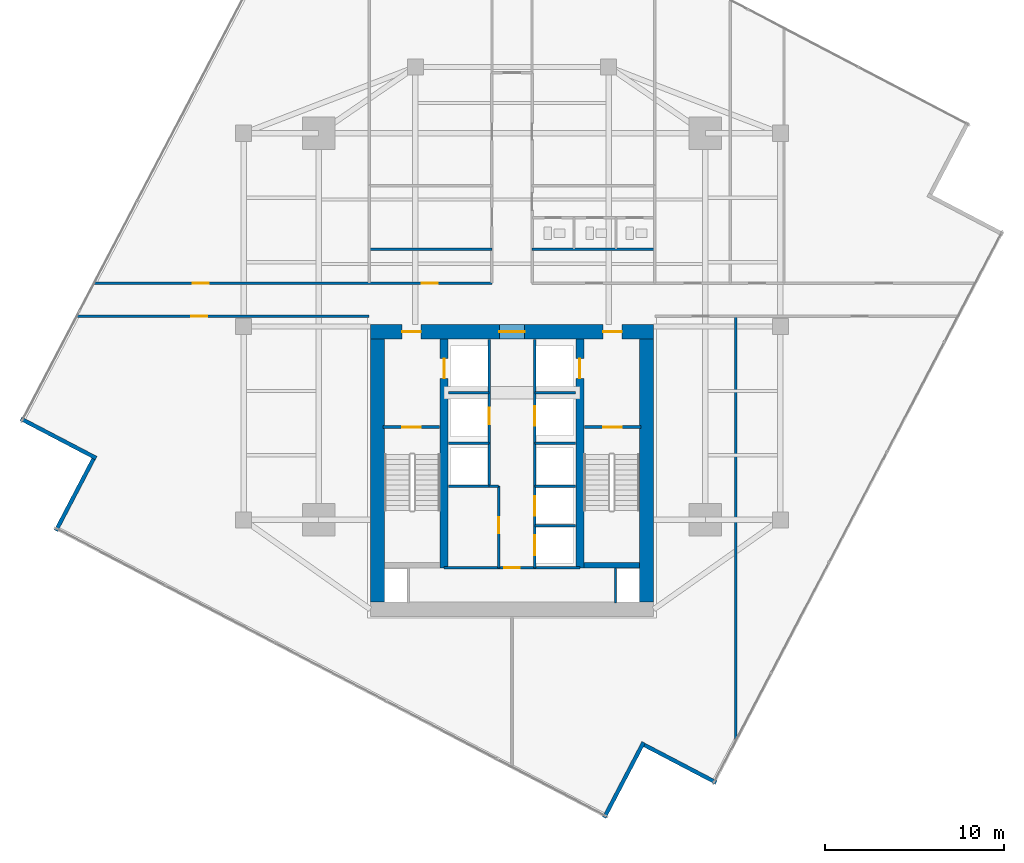
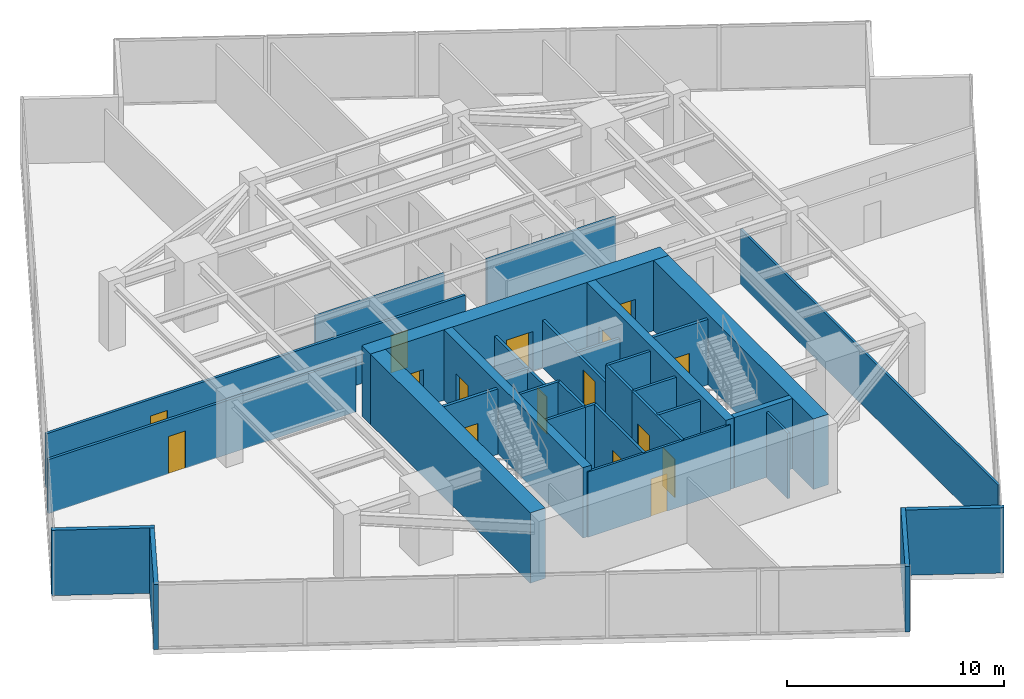
# One storey, part 23 of 27: 33 walls, 16 doors, 16 openings.
"""IFC4 building model written with IfcOpenShell, lengths in metres."""

from ifc_helpers import new_model, si_unit, direction, frame, frame_2d, origin, place, context, subcontext, project, spatial, rectangle, extrude, material, layer, layer_set, type_object, element, fill, save


model = new_model("IFC4")

# Units and contexts
model_context = context("Model", 3, precision=1e-05, world=origin(), true_north=direction((0.0, 1.0)))
body_context = subcontext(model_context, "Body", "Model", "MODEL_VIEW")
ifc_project = project(units=[si_unit("LENGTHUNIT", "METRE"), si_unit("AREAUNIT", "SQUARE_METRE"), si_unit("VOLUMEUNIT", "CUBIC_METRE"), si_unit("PLANEANGLEUNIT", "RADIAN"), si_unit("MASSUNIT", "GRAM", prefix="KILO")], contexts=[model_context])

# Site, building, storey
site_placement = place(None, origin())
site = spatial("IfcSite", under=ifc_project, at=site_placement, CompositionType="ELEMENT")
building_placement = place(site_placement, origin())
building = spatial("IfcBuilding", under=site, at=building_placement, Name="Krantzveldt Concourse Tower", CompositionType="ELEMENT")
storey_placement = place(building_placement, frame((0.0, 0.0, 150.14990234375)))
storey = spatial("IfcBuildingStorey", under=building, at=storey_placement, Name="L36", CompositionType="ELEMENT", Elevation=150.14990234375)

# Walls
ifc_material_1 = material(Name="Anodised aluminium 6063-T6", Category="aluminium")
ifc_layer_1 = layer(ifc_material_1, 0.219970703125, Name="Anodised aluminium 6063-T6", Category="aluminium")
ifc_layer_set_1 = layer_set([ifc_layer_1], Name="Anodised aluminium 6063-T6 (WL-EXT-NOTCH220)")
wall_type_1 = type_object("IfcWallType", Name="WL-EXT-NOTCH220", PredefinedType="ELEMENTEDWALL", material=ifc_layer_set_1)
wall_1_placement = place(storey_placement, frame((8.557373046875, 21.54736328125, 0.0), z_axis=(0.0, 0.0, 1.0), x_axis=(0.886000663224, -0.463683970788, 0.0)))
element("IfcWall", 1, at=wall_1_placement, inside=storey, type_object=wall_type_1, Name="EW-L36-NCH02", PredefinedType="ELEMENTEDWALL", context=body_context, shape_type="SweptSolid", body=[
    extrude(rectangle(XDim=4.7451171875, YDim=0.219970703125, at=frame_2d((2.37255859375, 0.0))), origin(), (0.0, 0.0, 1.0), 3.670166015625),
])
wall_2_placement = place(storey_placement, frame((12.613037109375, 19.300537109375, 0.0), z_axis=(0.0, 0.0, 1.0), x_axis=(-0.463690434653, -0.885997280363, 0.0)))
element("IfcWall", 2, at=wall_2_placement, inside=storey, type_object=wall_type_1, Name="EW-L36-NCH03", PredefinedType="ELEMENTEDWALL", context=body_context, shape_type="SweptSolid", body=[
    extrude(rectangle(XDim=4.52490234375, YDim=0.219970703125, at=frame_2d((2.262451171875, 0.0))), origin(), (0.0, 0.0, 1.0), 3.670166015625),
])
wall_3_placement = place(storey_placement, frame((41.15283203125, -0.74267578125, 0.0), z_axis=(0.0, 0.0, 1.0), x_axis=(0.463643579795, 0.886021800474, 0.0)))
element("IfcWall", 3, at=wall_3_placement, inside=storey, type_object=wall_type_1, Name="EW-L36-NCH05", PredefinedType="ELEMENTEDWALL", context=body_context, shape_type="SweptSolid", body=[
    extrude(rectangle(XDim=4.744873046875, YDim=0.219970703125, at=frame_2d((2.37255859375, 0.0))), origin(), (0.0, 0.0, 1.0), 3.670166015625),
])
wall_4_placement = place(storey_placement, frame((43.3994140625, 3.31298828125, 0.0), z_axis=(0.0, 0.0, 1.0), x_axis=(0.885997280363, -0.463690434653, 0.0)))
element("IfcWall", 4, at=wall_4_placement, inside=storey, type_object=wall_type_1, Name="EW-L36-NCH06", PredefinedType="ELEMENTEDWALL", context=body_context, shape_type="SweptSolid", body=[
    extrude(rectangle(XDim=4.52490234375, YDim=0.219970703125, at=frame_2d((2.262451171875, 0.0))), origin(), (0.0, 0.0, 1.0), 3.670166015625),
])

# Wall, opening, door
ifc_material_2 = material(Name="Fire-rated gypsum plasterboard on steel stud", Category="steel")
ifc_layer_2 = layer(ifc_material_2, 0.1201171875, Name="Fire-rated gypsum plasterboard on steel stud", Category="steel")
ifc_layer_set_2 = layer_set([ifc_layer_2], Name="Fire-rated gypsum plasterboard on steel stud (WL-PART-120)")
wall_type_2 = type_object("IfcWallType", Name="WL-PART-120", PredefinedType="PARTITIONING", material=ifc_layer_set_2)
wall_5_placement = place(storey_placement, frame((32.2099609375, 13.219970703125, 0.0), z_axis=(0.0, 0.0, 1.0), x_axis=(1.0, 0.0, 0.0)))
wall_5 = element("IfcWall", 5, at=wall_5_placement, inside=storey, type_object=wall_type_2, Name="WP-L36-CS2H", PredefinedType="PARTITIONING", context=body_context, shape_type="SweptSolid", body=[
    extrude(rectangle(XDim=7.580078125, YDim=0.1201171875, at=frame_2d((3.7900390625, 0.0))), origin(), (0.0, 0.0, 1.0), 3.670166015625),
])
opening_1_placement = place(wall_5_placement, frame((3.364990234375, 0.0, 0.0)))
opening_1 = element("IfcOpeningElement", 6, at=opening_1_placement, cuts=wall_5, Name="Opening D-IN085", PredefinedType="OPENING", context=body_context, shape_type="SweptSolid", body=[
    extrude(rectangle(XDim=0.85009765625, YDim=2.10009765625, at=frame_2d((0.425048828125, 1.050048828125))), frame((0.0, 0.070068359375, 0.0), z_axis=(0.0, -1.0, 0.0), x_axis=(1.0, 0.0, 0.0)), (0.0, 0.0, 1.0), 0.14013671875),
])
ifc_material_3 = material(Name="Hardwood timber", Category="wood")
door_type_1 = type_object("IfcDoorType", Name="DR-INT-850", OperationType="SINGLE_SWING_LEFT", PredefinedType="DOOR", material=ifc_material_3)
door_1_placement = place(opening_1_placement, origin())
door_1 = element("IfcDoor", 7, at=door_1_placement, inside=storey, type_object=door_type_1, Name="DR-L36-CSC1", OperationType="SINGLE_SWING_RIGHT", OverallHeight=2.10009765625, OverallWidth=0.85009765625, PredefinedType="DOOR", context=body_context, shape_type="SweptSolid", body=[
    extrude(rectangle(XDim=0.85009765625, YDim=2.10009765625, at=frame_2d((0.425048828125, 1.050048828125))), frame((0.0, 0.02490234375, 0.0), z_axis=(0.0, -1.0, 0.0), x_axis=(1.0, 0.0, 0.0)), (0.0, 0.0, 1.0), 0.050048828125),
])
fill(opening_1, door_1)

# Walls
for number, where, z_axis, x_axis, name in (
    (8, (28.02001953125, 31.02001953125, 0.0), (0.0, 0.0, 1.0), (1.0, 0.0, 0.0), "WP-L36-ISML"),
    (9, (37.1201171875, 31.02001953125, 0.0), (0.0, 0.0, 1.0), (1.0, 0.0, 0.0), "WP-L36-ISMR"),
):
    element("IfcWall", number, at=place(storey_placement, frame(where, z_axis=z_axis, x_axis=x_axis)), inside=storey, type_object=wall_type_2, Name=name, PredefinedType="PARTITIONING", context=body_context, shape_type="SweptSolid", body=[
        extrude(rectangle(XDim=6.85986328125, YDim=0.1201171875, at=frame_2d((3.429931640625, 0.0))), origin(), (0.0, 0.0, 1.0), 3.080078125),
    ])
wall_6_placement = place(storey_placement, frame((48.5, 3.54833984375, 0.0), z_axis=(0.0, 0.0, 1.0), x_axis=(0.0, 1.0, 0.0)))
element("IfcWall", 10, at=wall_6_placement, inside=storey, type_object=wall_type_2, Name="WP-L36-SEX1", PredefinedType="PARTITIONING", context=body_context, shape_type="SweptSolid", body=[
    extrude(rectangle(XDim=23.731689453125, YDim=0.1201171875, at=frame_2d((11.86572265625, 0.0))), origin(), (0.0, 0.0, 1.0), 3.080078125),
])

# Wall, openings, doors
ifc_layer_3 = layer(ifc_material_2, 0.139892578125, Name="Fire-rated gypsum plasterboard on steel stud", Category="steel")
ifc_layer_set_3 = layer_set([ifc_layer_3], Name="Fire-rated gypsum plasterboard on steel stud (WL-PART-140)")
wall_type_3 = type_object("IfcWallType", Name="WL-PART-140", PredefinedType="PARTITIONING", material=ifc_layer_set_3)
wall_7_placement = place(storey_placement, frame((12.650390625, 29.1201171875, 0.0), z_axis=(0.0, 0.0, 1.0), x_axis=(1.0, 0.0, 0.0)))
wall_7 = element("IfcWall", 11, at=wall_7_placement, inside=storey, type_object=wall_type_3, Name="WP-L36-EWNL", PredefinedType="PARTITIONING", context=body_context, shape_type="SweptSolid", body=[
    extrude(rectangle(XDim=22.2294921875, YDim=0.139892578125, at=frame_2d((11.11474609375, 0.0))), origin(), (0.0, 0.0, 1.0), 3.030029296875),
])
opening_2_placement = place(wall_7_placement, frame((18.2998046875, 0.0, 0.0)))
opening_2 = element("IfcOpeningElement", 12, at=opening_2_placement, cuts=wall_7, Name="Opening D-IN090", PredefinedType="OPENING", context=body_context, shape_type="SweptSolid", body=[
    extrude(rectangle(XDim=0.89990234375, YDim=2.10009765625, at=frame_2d((0.449951171875, 1.050048828125))), frame((0.0, 0.080078125, 0.0), z_axis=(0.0, -1.0, 0.0), x_axis=(1.0, 0.0, 0.0)), (0.0, 0.0, 1.0), 0.159912109375),
])
opening_3_placement = place(wall_7_placement, frame((5.5126953125, 0.0, 0.0)))
opening_3 = element("IfcOpeningElement", 13, at=opening_3_placement, cuts=wall_7, Name="Opening D-IN090", PredefinedType="OPENING", context=body_context, shape_type="SweptSolid", body=[
    extrude(rectangle(XDim=0.89990234375, YDim=2.10009765625, at=frame_2d((0.449951171875, 1.050048828125))), frame((0.0, 0.080078125, 0.0), z_axis=(0.0, -1.0, 0.0), x_axis=(1.0, 0.0, 0.0)), (0.0, 0.0, 1.0), 0.159912109375),
])
door_type_2 = type_object("IfcDoorType", Name="DR-INT-900", OperationType="SINGLE_SWING_LEFT", PredefinedType="DOOR", material=ifc_material_3)
door_2_placement = place(opening_2_placement, origin())
door_2 = element("IfcDoor", 14, at=door_2_placement, inside=storey, type_object=door_type_2, Name="DR-L36-ALCL", OperationType="SINGLE_SWING_LEFT", OverallHeight=2.10009765625, OverallWidth=0.89990234375, PredefinedType="DOOR", context=body_context, shape_type="SweptSolid", body=[
    extrude(rectangle(XDim=0.89990234375, YDim=2.10009765625, at=frame_2d((0.449951171875, 1.050048828125))), frame((0.0, 0.02490234375, 0.0), z_axis=(0.0, -1.0, 0.0), x_axis=(1.0, 0.0, 0.0)), (0.0, 0.0, 1.0), 0.050048828125),
])
fill(opening_2, door_2)
door_3_placement = place(opening_3_placement, origin())
door_3 = element("IfcDoor", 15, at=door_3_placement, inside=storey, type_object=door_type_2, Name="DR-L36-NWX1", OperationType="SINGLE_SWING_LEFT", OverallHeight=2.10009765625, OverallWidth=0.89990234375, PredefinedType="DOOR", context=body_context, shape_type="SweptSolid", body=[
    extrude(rectangle(XDim=0.89990234375, YDim=2.10009765625, at=frame_2d((0.449951171875, 1.050048828125))), frame((0.0, 0.02490234375, 0.0), z_axis=(0.0, -1.0, 0.0), x_axis=(1.0, 0.0, 0.0)), (0.0, 0.0, 1.0), 0.050048828125),
])
fill(opening_3, door_3)

# Wall, opening, door
wall_8_placement = place(storey_placement, frame((11.687255859375, 27.280029296875, 0.0), z_axis=(0.0, 0.0, 1.0), x_axis=(1.0, 0.0, 0.0)))
wall_8 = element("IfcWall", 16, at=wall_8_placement, inside=storey, type_object=wall_type_3, Name="WP-L36-EWSL", PredefinedType="PARTITIONING", context=body_context, shape_type="SweptSolid", body=[
    extrude(rectangle(XDim=16.312744140625, YDim=0.139892578125, at=frame_2d((8.15625, 0.0))), origin(), (0.0, 0.0, 1.0), 3.030029296875),
])
opening_4_placement = place(wall_8_placement, frame((6.375732421875, 0.0, 0.0)))
opening_4 = element("IfcOpeningElement", 17, at=opening_4_placement, cuts=wall_8, Name="Opening D-IN090", PredefinedType="OPENING", context=body_context, shape_type="SweptSolid", body=[
    extrude(rectangle(XDim=0.89990234375, YDim=2.10009765625, at=frame_2d((0.449951171875, 1.050048828125))), frame((0.0, 0.080078125, 0.0), z_axis=(0.0, -1.0, 0.0), x_axis=(1.0, 0.0, 0.0)), (0.0, 0.0, 1.0), 0.159912109375),
])
door_4_placement = place(opening_4_placement, origin())
door_4 = element("IfcDoor", 18, at=door_4_placement, inside=storey, type_object=door_type_2, Name="DR-L36-SWX1", OperationType="SINGLE_SWING_LEFT", OverallHeight=2.10009765625, OverallWidth=0.89990234375, PredefinedType="DOOR", context=body_context, shape_type="SweptSolid", body=[
    extrude(rectangle(XDim=0.89990234375, YDim=2.10009765625, at=frame_2d((0.449951171875, 1.050048828125))), frame((0.0, 0.02490234375, 0.0), z_axis=(0.0, -1.0, 0.0), x_axis=(1.0, 0.0, 0.0)), (0.0, 0.0, 1.0), 0.050048828125),
])
fill(opening_4, door_4)

ifc_layer_4 = layer(ifc_material_2, 0.139892578125, Name="Fire-rated gypsum plasterboard on steel stud", Category="steel")
ifc_layer_set_4 = layer_set([ifc_layer_4], Name="Fire-rated gypsum plasterboard on steel stud (WL-PART-FR140)")
wall_type_4 = type_object("IfcWallType", Name="WL-PART-FR140", PredefinedType="PARTITIONING", material=ifc_layer_set_4)
wall_9_placement = place(storey_placement, frame((34.719970703125, 20.199951171875, 0.0), z_axis=(0.0, 0.0, 1.0), x_axis=(0.0, 1.0, 0.0)))
wall_9 = element("IfcWall", 19, at=wall_9_placement, inside=storey, type_object=wall_type_4, Name="WP-L36-SHNW", PredefinedType="PARTITIONING", context=body_context, shape_type="SweptSolid", body=[
    extrude(rectangle(XDim=5.780029296875, YDim=0.139892578125, at=frame_2d((2.89013671875, 0.0))), origin(), (0.0, 0.0, 1.0), 2.670166015625),
])
opening_5_placement = place(wall_9_placement, frame((1.050048828125, 0.0, 0.0)))
opening_5 = element("IfcOpeningElement", 20, at=opening_5_placement, cuts=wall_9, Name="Opening D-FD090", PredefinedType="OPENING", context=body_context, shape_type="SweptSolid", body=[
    extrude(rectangle(XDim=0.89990234375, YDim=2.10009765625, at=frame_2d((0.449951171875, 1.050048828125))), frame((0.0, 0.080078125, 0.0), z_axis=(0.0, -1.0, 0.0), x_axis=(1.0, 0.0, 0.0)), (0.0, 0.0, 1.0), 0.159912109375),
])
door_type_3 = type_object("IfcDoorType", Name="DR-FD60-900", OperationType="SINGLE_SWING_LEFT", PredefinedType="DOOR", material=ifc_material_3)
door_5_placement = place(opening_5_placement, origin())
door_5 = element("IfcDoor", 21, at=door_5_placement, inside=storey, type_object=door_type_3, Name="Electrical Riser Access Door L36", OperationType="SINGLE_SWING_LEFT", OverallHeight=2.10009765625, OverallWidth=0.89990234375, PredefinedType="DOOR", context=body_context, shape_type="SweptSolid", body=[
    extrude(rectangle(XDim=0.89990234375, YDim=2.10009765625, at=frame_2d((0.449951171875, 1.050048828125))), frame((0.0, 0.02490234375, 0.0), z_axis=(0.0, -1.0, 0.0), x_axis=(1.0, 0.0, 0.0)), (0.0, 0.0, 1.0), 0.050048828125),
])
fill(opening_5, door_5)

wall_10_placement = place(storey_placement, frame((37.280029296875, 20.199951171875, 0.0), z_axis=(0.0, 0.0, 1.0), x_axis=(0.0, 1.0, 0.0)))
wall_10 = element("IfcWall", 22, at=wall_10_placement, inside=storey, type_object=wall_type_4, Name="WP-L36-SHNE", PredefinedType="PARTITIONING", context=body_context, shape_type="SweptSolid", body=[
    extrude(rectangle(XDim=5.780029296875, YDim=0.139892578125, at=frame_2d((2.89013671875, 0.0))), origin(), (0.0, 0.0, 1.0), 2.670166015625),
])
opening_6_placement = place(wall_10_placement, frame((0.949951171875, 0.0, 0.0)))
opening_6 = element("IfcOpeningElement", 23, at=opening_6_placement, cuts=wall_10, Name="Opening LD", PredefinedType="OPENING", context=body_context, shape_type="SweptSolid", body=[
    extrude(rectangle(XDim=1.10009765625, YDim=2.14990234375, at=frame_2d((0.550048828125, 1.074951171875))), frame((0.0, 0.080078125, 0.0), z_axis=(0.0, -1.0, 0.0), x_axis=(1.0, 0.0, 0.0)), (0.0, 0.0, 1.0), 0.159912109375),
])
ifc_material_4 = material(Name="Stainless steel 316L", Category="steel")
door_type_4 = type_object("IfcDoorType", Name="DR-SLIDE-LD1100", OperationType="DOUBLE_DOOR_SLIDING", PredefinedType="DOOR", material=ifc_material_4)
door_6_placement = place(opening_6_placement, origin())
door_6 = element("IfcDoor", 24, at=door_6_placement, inside=storey, type_object=door_type_4, Name="LD-L36-GL1", OperationType="DOUBLE_DOOR_SLIDING", OverallHeight=2.14990234375, OverallWidth=1.10009765625, PredefinedType="DOOR", context=body_context, shape_type="SweptSolid", body=[
    extrude(rectangle(XDim=1.10009765625, YDim=2.14990234375, at=frame_2d((0.550048828125, 1.074951171875))), frame((0.0, 0.02490234375, 0.0), z_axis=(0.0, -1.0, 0.0), x_axis=(1.0, 0.0, 0.0)), (0.0, 0.0, 1.0), 0.050048828125),
])
fill(opening_6, door_6)

# Walls
for number, where, z_axis, x_axis, name in (
    (25, (32.449951171875, 23.0, 0.0), (0.0, 0.0, 1.0), (1.0, 0.0, 0.0), "WP-L36-RISH"),
    (26, (37.280029296875, 23.0, 0.0), (0.0, 0.0, 1.0), (1.0, 0.0, 0.0), "WP-L36-GLH"),
):
    element("IfcWall", number, at=place(storey_placement, frame(where, z_axis=z_axis, x_axis=x_axis)), inside=storey, type_object=wall_type_4, Name=name, PredefinedType="PARTITIONING", context=body_context, shape_type="SweptSolid", body=[
        extrude(rectangle(XDim=2.27001953125, YDim=0.139892578125, at=frame_2d((1.135009765625, 0.0))), origin(), (0.0, 0.0, 1.0), 2.670166015625),
    ])
for number, where, z_axis, x_axis, name in (
    (27, (34.719970703125, 17.780029296875, 0.0), (0.0, 0.0, 1.0), (0.0, 1.0, 0.0), "WP-L36-SHNW2"),
    (28, (37.280029296875, 17.780029296875, 0.0), (0.0, 0.0, 1.0), (0.0, 1.0, 0.0), "WP-L36-SHNE2"),
):
    element("IfcWall", number, at=place(storey_placement, frame(where, z_axis=z_axis, x_axis=x_axis)), inside=storey, type_object=wall_type_4, Name=name, PredefinedType="PARTITIONING", context=body_context, shape_type="SweptSolid", body=[
        extrude(rectangle(XDim=2.419921875, YDim=0.139892578125, at=frame_2d((1.2099609375, 0.0))), origin(), (0.0, 0.0, 1.0), 3.670166015625),
    ])
for number, where, z_axis, x_axis, name in (
    (29, (32.449951171875, 17.780029296875, 0.0), (0.0, 0.0, 1.0), (1.0, 0.0, 0.0), "WP-L36-DIVW2"),
    (30, (32.449951171875, 20.179931640625, 0.0), (0.0, 0.0, 1.0), (1.0, 0.0, 0.0), "WP-L36-DIVW3"),
    (31, (37.280029296875, 17.780029296875, 0.0), (0.0, 0.0, 1.0), (1.0, 0.0, 0.0), "WP-L36-DIVE2"),
    (32, (37.280029296875, 20.179931640625, 0.0), (0.0, 0.0, 1.0), (1.0, 0.0, 0.0), "WP-L36-DIVE3"),
):
    element("IfcWall", number, at=place(storey_placement, frame(where, z_axis=z_axis, x_axis=x_axis)), inside=storey, type_object=wall_type_4, Name=name, PredefinedType="PARTITIONING", context=body_context, shape_type="SweptSolid", body=[
        extrude(rectangle(XDim=2.27001953125, YDim=0.139892578125, at=frame_2d((1.135009765625, 0.0))), origin(), (0.0, 0.0, 1.0), 3.670166015625),
    ])

# Wall, opening, door
wall_11_placement = place(storey_placement, frame((35.25, 13.219970703125, 0.0), z_axis=(0.0, 0.0, 1.0), x_axis=(0.0, 1.0, 0.0)))
wall_11 = element("IfcWall", 33, at=wall_11_placement, inside=storey, type_object=wall_type_4, Name="WP-L36-RECW", PredefinedType="PARTITIONING", context=body_context, shape_type="SweptSolid", body=[
    extrude(rectangle(XDim=4.56005859375, YDim=0.139892578125, at=frame_2d((2.280029296875, 0.0))), origin(), (0.0, 0.0, 1.0), 3.670166015625),
])
opening_7_placement = place(wall_11_placement, frame((1.929931640625, 0.0, 0.0)))
opening_7 = element("IfcOpeningElement", 34, at=opening_7_placement, cuts=wall_11, Name="Opening D-FD090", PredefinedType="OPENING", context=body_context, shape_type="SweptSolid", body=[
    extrude(rectangle(XDim=0.89990234375, YDim=2.10009765625, at=frame_2d((0.449951171875, 1.050048828125))), frame((0.0, 0.080078125, 0.0), z_axis=(0.0, -1.0, 0.0), x_axis=(1.0, 0.0, 0.0)), (0.0, 0.0, 1.0), 0.159912109375),
])
door_7_placement = place(opening_7_placement, origin())
door_7 = element("IfcDoor", 35, at=door_7_placement, inside=storey, type_object=door_type_3, Name="DR-L36-RECW", OperationType="SINGLE_SWING_LEFT", OverallHeight=2.10009765625, OverallWidth=0.89990234375, PredefinedType="DOOR", context=body_context, shape_type="SweptSolid", body=[
    extrude(rectangle(XDim=0.89990234375, YDim=2.10009765625, at=frame_2d((0.449951171875, 1.050048828125))), frame((0.0, 0.02490234375, 0.0), z_axis=(0.0, -1.0, 0.0), x_axis=(1.0, 0.0, 0.0)), (0.0, 0.0, 1.0), 0.050048828125),
])
fill(opening_7, door_7)

# Wall
wall_12_placement = place(storey_placement, frame((34.719970703125, 17.780029296875, 0.0), z_axis=(0.0, 0.0, 1.0), x_axis=(1.0, 0.0, 0.0)))
element("IfcWall", 36, at=wall_12_placement, inside=storey, type_object=wall_type_4, Name="WP-L36-RECWN", PredefinedType="PARTITIONING", context=body_context, shape_type="SweptSolid", body=[
    extrude(rectangle(XDim=0.530029296875, YDim=0.139892578125, at=frame_2d((0.26513671875, 0.0))), origin(), (0.0, 0.0, 1.0), 3.670166015625),
])

# Wall, openings, doors
wall_13_placement = place(storey_placement, frame((37.280029296875, 13.219970703125, 0.0), z_axis=(0.0, 0.0, 1.0), x_axis=(0.0, 1.0, 0.0)))
wall_13 = element("IfcWall", 37, at=wall_13_placement, inside=storey, type_object=wall_type_4, Name="WP-L36-SHSE", PredefinedType="PARTITIONING", context=body_context, shape_type="SweptSolid", body=[
    extrude(rectangle(XDim=4.56005859375, YDim=0.139892578125, at=frame_2d((2.280029296875, 0.0))), origin(), (0.0, 0.0, 1.0), 3.670166015625),
])
opening_8_placement = place(wall_13_placement, frame((0.7099609375, 0.0, 0.0)))
opening_8 = element("IfcOpeningElement", 38, at=opening_8_placement, cuts=wall_13, Name="Opening LD", PredefinedType="OPENING", context=body_context, shape_type="SweptSolid", body=[
    extrude(rectangle(XDim=1.10009765625, YDim=2.14990234375, at=frame_2d((0.550048828125, 1.074951171875))), frame((0.0, 0.080078125, 0.0), z_axis=(0.0, -1.0, 0.0), x_axis=(1.0, 0.0, 0.0)), (0.0, 0.0, 1.0), 0.159912109375),
])
opening_9_placement = place(wall_13_placement, frame((2.909912109375, 0.0, 0.0)))
opening_9 = element("IfcOpeningElement", 39, at=opening_9_placement, cuts=wall_13, Name="Opening LD", PredefinedType="OPENING", context=body_context, shape_type="SweptSolid", body=[
    extrude(rectangle(XDim=1.10009765625, YDim=2.14990234375, at=frame_2d((0.550048828125, 1.074951171875))), frame((0.0, 0.080078125, 0.0), z_axis=(0.0, -1.0, 0.0), x_axis=(1.0, 0.0, 0.0)), (0.0, 0.0, 1.0), 0.159912109375),
])
door_8_placement = place(opening_8_placement, origin())
door_8 = element("IfcDoor", 40, at=door_8_placement, inside=storey, type_object=door_type_4, Name="LD-L36-PM1", OperationType="DOUBLE_DOOR_SLIDING", OverallHeight=2.14990234375, OverallWidth=1.10009765625, PredefinedType="DOOR", context=body_context, shape_type="SweptSolid", body=[
    extrude(rectangle(XDim=1.10009765625, YDim=2.14990234375, at=frame_2d((0.550048828125, 1.074951171875))), frame((0.0, 0.02490234375, 0.0), z_axis=(0.0, -1.0, 0.0), x_axis=(1.0, 0.0, 0.0)), (0.0, 0.0, 1.0), 0.050048828125),
])
fill(opening_8, door_8)
door_9_placement = place(opening_9_placement, origin())
door_9 = element("IfcDoor", 41, at=door_9_placement, inside=storey, type_object=door_type_4, Name="LD-L36-PM2", OperationType="DOUBLE_DOOR_SLIDING", OverallHeight=2.14990234375, OverallWidth=1.10009765625, PredefinedType="DOOR", context=body_context, shape_type="SweptSolid", body=[
    extrude(rectangle(XDim=1.10009765625, YDim=2.14990234375, at=frame_2d((0.550048828125, 1.074951171875))), frame((0.0, 0.02490234375, 0.0), z_axis=(0.0, -1.0, 0.0), x_axis=(1.0, 0.0, 0.0)), (0.0, 0.0, 1.0), 0.050048828125),
])
fill(opening_9, door_9)

# Walls
wall_14_placement = place(storey_placement, frame((37.280029296875, 15.580078125, 0.0), z_axis=(0.0, 0.0, 1.0), x_axis=(1.0, 0.0, 0.0)))
element("IfcWall", 42, at=wall_14_placement, inside=storey, type_object=wall_type_4, Name="WP-L36-DIVE1", PredefinedType="PARTITIONING", context=body_context, shape_type="SweptSolid", body=[
    extrude(rectangle(XDim=2.27001953125, YDim=0.139892578125, at=frame_2d((1.135009765625, 0.0))), origin(), (0.0, 0.0, 1.0), 3.670166015625),
])
wall_15_placement = place(storey_placement, frame((41.780029296875, 11.25, 0.0), z_axis=(0.0, 0.0, 1.0), x_axis=(0.0, 1.0, 0.0)))
element("IfcWall", 43, at=wall_15_placement, inside=storey, type_object=wall_type_4, Name="WP-L36-RSE", PredefinedType="PARTITIONING", context=body_context, shape_type="SweptSolid", body=[
    extrude(rectangle(XDim=1.969970703125, YDim=0.1201171875, at=frame_2d((0.98486328125, 0.0))), origin(), (0.0, 0.0, 1.0), 3.670166015625),
])

# Wall, opening, door
ifc_layer_5 = layer(ifc_material_2, 0.159912109375, Name="Fire-rated gypsum plasterboard on steel stud", Category="steel")
ifc_layer_set_5 = layer_set([ifc_layer_5], Name="Fire-rated gypsum plasterboard on steel stud (WL-PART-FR160)")
wall_type_5 = type_object("IfcWallType", Name="WL-PART-FR160", PredefinedType="PARTITIONING", material=ifc_layer_set_5)
wall_16_placement = place(storey_placement, frame((28.800048828125, 21.080078125, 0.0), z_axis=(0.0, 0.0, 1.0), x_axis=(1.0, 0.0, 0.0)))
wall_16 = element("IfcWall", 44, at=wall_16_placement, inside=storey, type_object=wall_type_5, Name="WP-L36-ST1", PredefinedType="PARTITIONING", context=body_context, shape_type="SweptSolid", body=[
    extrude(rectangle(XDim=3.159912109375, YDim=0.159912109375, at=frame_2d((1.580078125, 0.0))), origin(), (0.0, 0.0, 1.0), 3.670166015625),
])
opening_10_placement = place(wall_16_placement, frame((1.054931640625, 0.0, 0.0)))
opening_10 = element("IfcOpeningElement", 45, at=opening_10_placement, cuts=wall_16, Name="Opening D-FD105", PredefinedType="OPENING", context=body_context, shape_type="SweptSolid", body=[
    extrude(rectangle(XDim=1.050048828125, YDim=2.10009765625, at=frame_2d((0.52490234375, 1.050048828125))), frame((0.0, 0.08984375, 0.0), z_axis=(0.0, -1.0, 0.0), x_axis=(1.0, 0.0, 0.0)), (0.0, 0.0, 1.0), 0.179931640625),
])
ifc_material_5 = material(Name="Galvanised steel", Category="steel")
door_type_5 = type_object("IfcDoorType", Name="DR-FD120-1050", OperationType="SINGLE_SWING_LEFT", PredefinedType="DOOR", material=ifc_material_5)
door_10_placement = place(opening_10_placement, origin())
door_10 = element("IfcDoor", 46, at=door_10_placement, inside=storey, type_object=door_type_5, Name="DR-L36-ST1", OperationType="SINGLE_SWING_RIGHT", OverallHeight=2.10009765625, OverallWidth=1.050048828125, PredefinedType="DOOR", context=body_context, shape_type="SweptSolid", body=[
    extrude(rectangle(XDim=1.050048828125, YDim=2.10009765625, at=frame_2d((0.52490234375, 1.050048828125))), frame((0.0, 0.02490234375, 0.0), z_axis=(0.0, -1.0, 0.0), x_axis=(1.0, 0.0, 0.0)), (0.0, 0.0, 1.0), 0.050048828125),
])
fill(opening_10, door_10)

wall_17_placement = place(storey_placement, frame((40.0400390625, 21.080078125, 0.0), z_axis=(0.0, 0.0, 1.0), x_axis=(1.0, 0.0, 0.0)))
wall_17 = element("IfcWall", 47, at=wall_17_placement, inside=storey, type_object=wall_type_5, Name="WP-L36-ST2", PredefinedType="PARTITIONING", context=body_context, shape_type="SweptSolid", body=[
    extrude(rectangle(XDim=3.159912109375, YDim=0.159912109375, at=frame_2d((1.580078125, 0.0))), origin(), (0.0, 0.0, 1.0), 3.670166015625),
])
opening_11_placement = place(wall_17_placement, frame((1.054931640625, 0.0, 0.0)))
opening_11 = element("IfcOpeningElement", 48, at=opening_11_placement, cuts=wall_17, Name="Opening D-FD105", PredefinedType="OPENING", context=body_context, shape_type="SweptSolid", body=[
    extrude(rectangle(XDim=1.050048828125, YDim=2.10009765625, at=frame_2d((0.52490234375, 1.050048828125))), frame((0.0, 0.08984375, 0.0), z_axis=(0.0, -1.0, 0.0), x_axis=(1.0, 0.0, 0.0)), (0.0, 0.0, 1.0), 0.179931640625),
])
door_11_placement = place(opening_11_placement, origin())
door_11 = element("IfcDoor", 49, at=door_11_placement, inside=storey, type_object=door_type_5, Name="DR-L36-ST2", OperationType="SINGLE_SWING_LEFT", OverallHeight=2.10009765625, OverallWidth=1.050048828125, PredefinedType="DOOR", context=body_context, shape_type="SweptSolid", body=[
    extrude(rectangle(XDim=1.050048828125, YDim=2.10009765625, at=frame_2d((0.52490234375, 1.050048828125))), frame((0.0, 0.02490234375, 0.0), z_axis=(0.0, -1.0, 0.0), x_axis=(1.0, 0.0, 0.0)), (0.0, 0.0, 1.0), 0.050048828125),
])
fill(opening_11, door_11)

# Wall
ifc_material_6 = material(Name="Concrete C50/60", Category="concrete")
ifc_layer_6 = layer(ifc_material_6, 0.300048828125, Name="Concrete C50/60", Category="concrete")
ifc_layer_set_6 = layer_set([ifc_layer_6], Name="Concrete C50/60 (WL-SHEAR-300)")
wall_type_6 = type_object("IfcWallType", Name="WL-SHEAR-300", PredefinedType="SHEAR", material=ifc_layer_set_6)
wall_18_placement = place(storey_placement, frame((40.02001953125, 13.3701171875, 0.0), z_axis=(0.0, 0.0, 1.0), x_axis=(1.0, 0.0, 0.0)))
element("IfcWall", 50, at=wall_18_placement, inside=storey, type_object=wall_type_6, Name="CW-L36-ST2S", PredefinedType="SHEAR", context=body_context, shape_type="SweptSolid", body=[
    extrude(rectangle(XDim=3.10009765625, YDim=0.300048828125, at=frame_2d((1.550048828125, 0.0))), origin(), (0.0, 0.0, 1.0), 3.9501953125),
])

# Wall, opening, door
ifc_layer_7 = layer(ifc_material_6, 0.449951171875, Name="Concrete C50/60", Category="concrete")
ifc_layer_set_7 = layer_set([ifc_layer_7], Name="Concrete C50/60 (WL-SHEAR-450)")
wall_type_7 = type_object("IfcWallType", Name="WL-SHEAR-450", PredefinedType="SHEAR", material=ifc_layer_set_7)
wall_19_placement = place(storey_placement, frame((32.205078125, 13.219970703125, 0.0), z_axis=(0.0, 0.0, 1.0), x_axis=(0.0, 1.0, 0.0)))
wall_19 = element("IfcWall", 51, at=wall_19_placement, inside=storey, type_object=wall_type_7, Name="CW-L36-IW", PredefinedType="SHEAR", context=body_context, shape_type="SweptSolid", body=[
    extrude(rectangle(XDim=12.780029296875, YDim=0.449951171875, at=frame_2d((6.39013671875, 0.0))), origin(), (0.0, 0.0, 1.0), 3.9501953125),
])
opening_12_placement = place(wall_19_placement, frame((10.580078125, 0.0, 0.0)))
opening_12 = element("IfcOpeningElement", 52, at=opening_12_placement, cuts=wall_19, Name="Opening LD", PredefinedType="OPENING", context=body_context, shape_type="SweptSolid", body=[
    extrude(rectangle(XDim=1.10009765625, YDim=2.14990234375, at=frame_2d((0.550048828125, 1.074951171875))), frame((0.0, 0.23486328125, 0.0), z_axis=(0.0, -1.0, 0.0), x_axis=(1.0, 0.0, 0.0)), (0.0, 0.0, 1.0), 0.469970703125),
])
door_12_placement = place(opening_12_placement, origin())
door_12 = element("IfcDoor", 53, at=door_12_placement, inside=storey, type_object=door_type_4, Name="LD-L36-FL1", OperationType="DOUBLE_DOOR_SLIDING", OverallHeight=2.14990234375, OverallWidth=1.10009765625, PredefinedType="DOOR", context=body_context, shape_type="SweptSolid", body=[
    extrude(rectangle(XDim=1.10009765625, YDim=2.14990234375, at=frame_2d((0.550048828125, 1.074951171875))), frame((0.0, 0.02490234375, 0.0), z_axis=(0.0, -1.0, 0.0), x_axis=(1.0, 0.0, 0.0)), (0.0, 0.0, 1.0), 0.050048828125),
])
fill(opening_12, door_12)

wall_20_placement = place(storey_placement, frame((39.794921875, 13.219970703125, 0.0), z_axis=(0.0, 0.0, 1.0), x_axis=(0.0, 1.0, 0.0)))
wall_20 = element("IfcWall", 54, at=wall_20_placement, inside=storey, type_object=wall_type_7, Name="CW-L36-IE", PredefinedType="SHEAR", context=body_context, shape_type="SweptSolid", body=[
    extrude(rectangle(XDim=12.780029296875, YDim=0.449951171875, at=frame_2d((6.39013671875, 0.0))), origin(), (0.0, 0.0, 1.0), 3.9501953125),
])
opening_13_placement = place(wall_20_placement, frame((10.580078125, 0.0, 0.0)))
opening_13 = element("IfcOpeningElement", 55, at=opening_13_placement, cuts=wall_20, Name="Opening LD", PredefinedType="OPENING", context=body_context, shape_type="SweptSolid", body=[
    extrude(rectangle(XDim=1.10009765625, YDim=2.14990234375, at=frame_2d((0.550048828125, 1.074951171875))), frame((0.0, 0.23486328125, 0.0), z_axis=(0.0, -1.0, 0.0), x_axis=(1.0, 0.0, 0.0)), (0.0, 0.0, 1.0), 0.469970703125),
])
door_13_placement = place(opening_13_placement, origin())
door_13 = element("IfcDoor", 56, at=door_13_placement, inside=storey, type_object=door_type_4, Name="LD-L36-FL2", OperationType="DOUBLE_DOOR_SLIDING", OverallHeight=2.14990234375, OverallWidth=1.10009765625, PredefinedType="DOOR", context=body_context, shape_type="SweptSolid", body=[
    extrude(rectangle(XDim=1.10009765625, YDim=2.14990234375, at=frame_2d((0.550048828125, 1.074951171875))), frame((0.0, 0.02490234375, 0.0), z_axis=(0.0, -1.0, 0.0), x_axis=(1.0, 0.0, 0.0)), (0.0, 0.0, 1.0), 0.050048828125),
])
fill(opening_13, door_13)

# Wall, openings, doors
ifc_material_7 = material(Name="Concrete C60/75", Category="concrete")
ifc_layer_8 = layer(ifc_material_7, 0.800048828125, Name="Concrete C60/75", Category="concrete")
ifc_layer_set_8 = layer_set([ifc_layer_8], Name="Concrete C60/75 (WL-SHEAR-800)")
wall_type_8 = type_object("IfcWallType", Name="WL-SHEAR-800", PredefinedType="SHEAR", material=ifc_layer_set_8)
wall_21_placement = place(storey_placement, frame((28.080078125, 26.39990234375, 0.0), z_axis=(0.0, 0.0, 1.0), x_axis=(1.0, 0.0, 0.0)))
wall_21 = element("IfcWall", 57, at=wall_21_placement, inside=storey, type_object=wall_type_8, Name="CW-L36-N", PredefinedType="SHEAR", context=body_context, shape_type="SweptSolid", body=[
    extrude(rectangle(XDim=15.83984375, YDim=0.800048828125, at=frame_2d((7.919921875, 0.0))), origin(), (0.0, 0.0, 1.0), 3.9501953125),
])
opening_14_placement = place(wall_21_placement, frame((7.219970703125, 0.0, 0.0)))
opening_14 = element("IfcOpeningElement", 58, at=opening_14_placement, cuts=wall_21, Name="Opening D-DB140", PredefinedType="OPENING", context=body_context, shape_type="SweptSolid", body=[
    extrude(rectangle(XDim=1.39990234375, YDim=2.199951171875, at=frame_2d((0.699951171875, 1.10009765625))), frame((0.0, 0.41015625, 0.0), z_axis=(0.0, -1.0, 0.0), x_axis=(1.0, 0.0, 0.0)), (0.0, 0.0, 1.0), 0.820068359375),
])
opening_15_placement = place(wall_21_placement, frame((1.77490234375, 0.0, 0.0)))
opening_15 = element("IfcOpeningElement", 59, at=opening_15_placement, cuts=wall_21, Name="Opening D-FD105", PredefinedType="OPENING", context=body_context, shape_type="SweptSolid", body=[
    extrude(rectangle(XDim=1.050048828125, YDim=2.10009765625, at=frame_2d((0.52490234375, 1.050048828125))), frame((0.0, 0.41015625, 0.0), z_axis=(0.0, -1.0, 0.0), x_axis=(1.0, 0.0, 0.0)), (0.0, 0.0, 1.0), 0.820068359375),
])
opening_16_placement = place(wall_21_placement, frame((13.014892578125, 0.0, 0.0)))
opening_16 = element("IfcOpeningElement", 60, at=opening_16_placement, cuts=wall_21, Name="Opening D-FD105", PredefinedType="OPENING", context=body_context, shape_type="SweptSolid", body=[
    extrude(rectangle(XDim=1.050048828125, YDim=2.10009765625, at=frame_2d((0.52490234375, 1.050048828125))), frame((0.0, 0.41015625, 0.0), z_axis=(0.0, -1.0, 0.0), x_axis=(1.0, 0.0, 0.0)), (0.0, 0.0, 1.0), 0.820068359375),
])
door_type_6 = type_object("IfcDoorType", Name="DR-DBL-1400", OperationType="DOUBLE_DOOR_SINGLE_SWING", PredefinedType="DOOR", material=ifc_material_1)
door_14_placement = place(opening_14_placement, origin())
door_14 = element("IfcDoor", 61, at=door_14_placement, inside=storey, type_object=door_type_6, Name="DR-L36-LLB", OperationType="DOUBLE_DOOR_SINGLE_SWING", OverallHeight=2.199951171875, OverallWidth=1.39990234375, PredefinedType="DOOR", context=body_context, shape_type="SweptSolid", body=[
    extrude(rectangle(XDim=1.39990234375, YDim=2.199951171875, at=frame_2d((0.699951171875, 1.10009765625))), frame((0.0, 0.02490234375, 0.0), z_axis=(0.0, -1.0, 0.0), x_axis=(1.0, 0.0, 0.0)), (0.0, 0.0, 1.0), 0.050048828125),
])
fill(opening_14, door_14)
door_15_placement = place(opening_15_placement, origin())
door_15 = element("IfcDoor", 62, at=door_15_placement, inside=storey, type_object=door_type_5, Name="DR-L36-FFL1", OperationType="SINGLE_SWING_LEFT", OverallHeight=2.10009765625, OverallWidth=1.050048828125, PredefinedType="DOOR", context=body_context, shape_type="SweptSolid", body=[
    extrude(rectangle(XDim=1.050048828125, YDim=2.10009765625, at=frame_2d((0.52490234375, 1.050048828125))), frame((0.0, 0.02490234375, 0.0), z_axis=(0.0, -1.0, 0.0), x_axis=(1.0, 0.0, 0.0)), (0.0, 0.0, 1.0), 0.050048828125),
])
fill(opening_15, door_15)
door_16_placement = place(opening_16_placement, origin())
door_16 = element("IfcDoor", 63, at=door_16_placement, inside=storey, type_object=door_type_5, Name="DR-L36-FFL2", OperationType="SINGLE_SWING_RIGHT", OverallHeight=2.10009765625, OverallWidth=1.050048828125, PredefinedType="DOOR", context=body_context, shape_type="SweptSolid", body=[
    extrude(rectangle(XDim=1.050048828125, YDim=2.10009765625, at=frame_2d((0.52490234375, 1.050048828125))), frame((0.0, 0.02490234375, 0.0), z_axis=(0.0, -1.0, 0.0), x_axis=(1.0, 0.0, 0.0)), (0.0, 0.0, 1.0), 0.050048828125),
])
fill(opening_16, door_16)

# Walls
for number, where, z_axis, x_axis, name in (
    (64, (28.47998046875, 11.300048828125, 0.0), (0.0, 0.0, 1.0), (0.0, 1.0, 0.0), "CW-L36-W"),
    (65, (43.52001953125, 11.300048828125, 0.0), (0.0, 0.0, 1.0), (0.0, 1.0, 0.0), "CW-L36-E"),
):
    element("IfcWall", number, at=place(storey_placement, frame(where, z_axis=z_axis, x_axis=x_axis)), inside=storey, type_object=wall_type_8, Name=name, PredefinedType="SHEAR", context=body_context, shape_type="SweptSolid", body=[
        extrude(rectangle(XDim=14.699951171875, YDim=0.800048828125, at=frame_2d((7.35009765625, 0.0))), origin(), (0.0, 0.0, 1.0), 3.9501953125),
    ])

save(model, "model.ifc")
